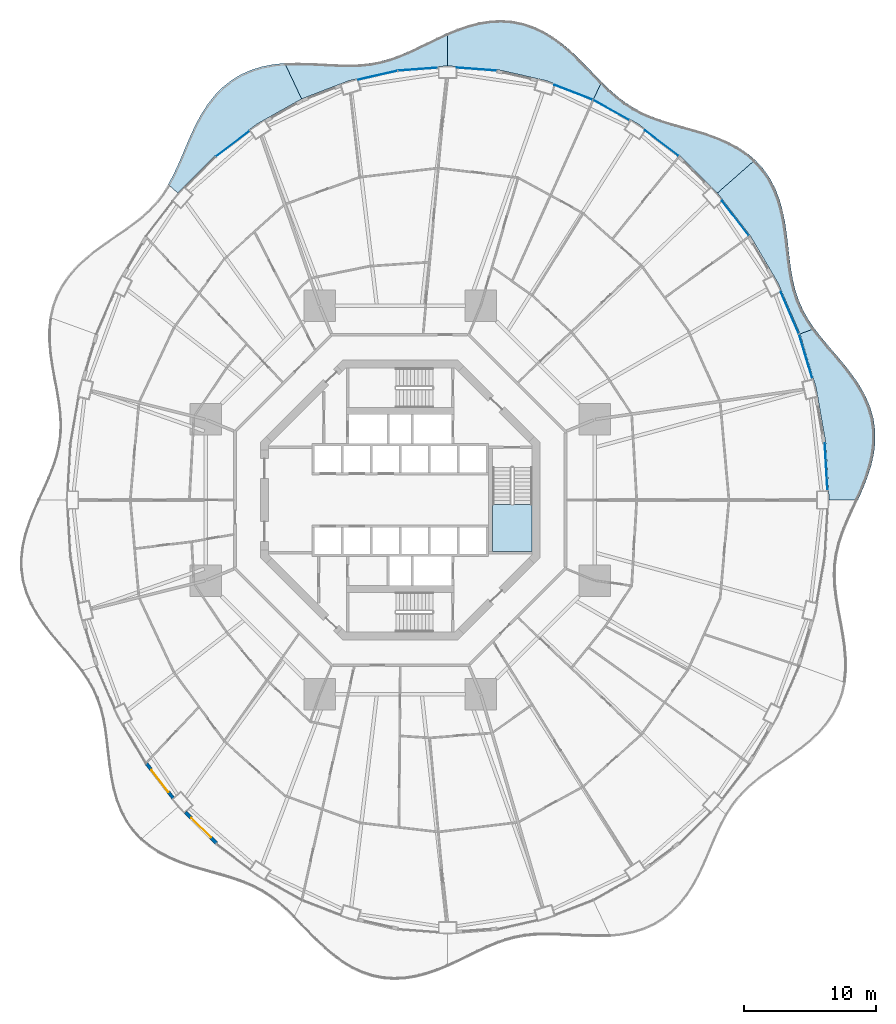
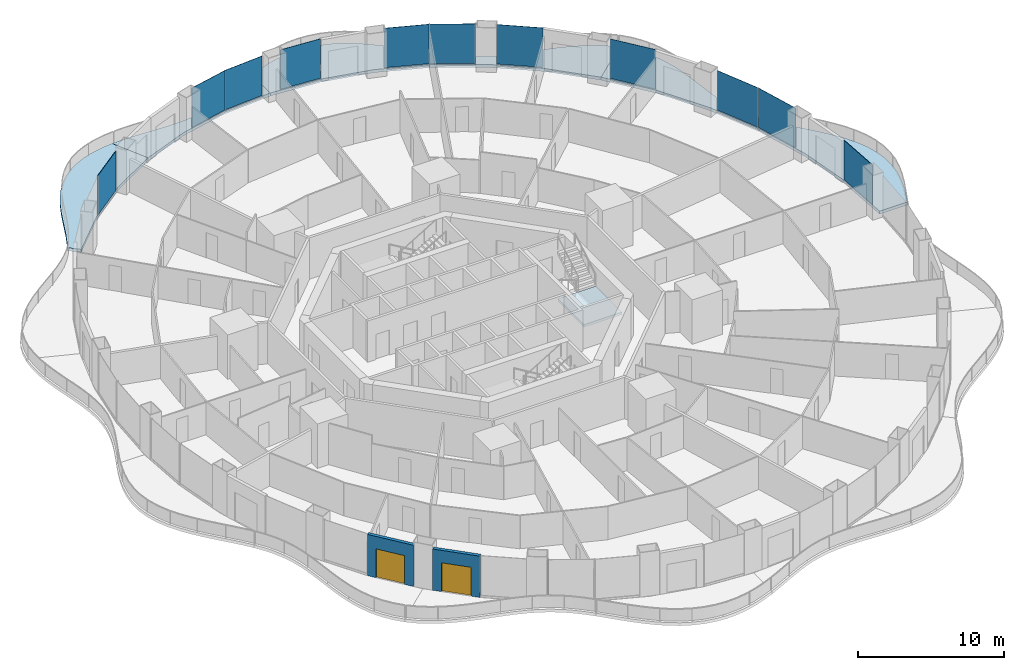
# One storey, part 13 of 22: 11 plates, 7 slabs, 2 doors, 2 walls, 2 openings, 12 elements without a shape of their own.
"""IFC4 building model written with IfcOpenShell, lengths in metres."""

from ifc_helpers import new_model, si_unit, direction, frame, frame_2d, origin, origin_2d, place, context, subcontext, project, spatial, polyline, rectangle, outline, extrude, material, layer, layer_set, type_object, element, fill, aggregate, save


model = new_model("IFC4")

# Units and contexts
model_context = context("Model", 3, precision=1e-05, world=origin(), true_north=direction((0.0, 1.0)))
body_context = subcontext(model_context, "Body", "Model", "MODEL_VIEW")
ifc_project = project(units=[si_unit("LENGTHUNIT", "METRE"), si_unit("AREAUNIT", "SQUARE_METRE"), si_unit("VOLUMEUNIT", "CUBIC_METRE"), si_unit("PLANEANGLEUNIT", "RADIAN"), si_unit("MASSUNIT", "GRAM", prefix="KILO")], contexts=[model_context])

# Site, building, storey
site_placement = place(None, origin())
site = spatial("IfcSite", under=ifc_project, at=site_placement, CompositionType="ELEMENT")
building_placement = place(site_placement, origin())
building = spatial("IfcBuilding", under=site, at=building_placement, Name="Nagisa Residences", CompositionType="ELEMENT")
storey_placement = place(building_placement, frame((0.0, 0.0, 49.199951171875)))
storey = spatial("IfcBuildingStorey", under=building, at=storey_placement, Name="L11", CompositionType="ELEMENT", Elevation=49.199951171875)

# Slabs
ifc_material_1 = material(Name="Concrete C40/50", Category="concrete")
ifc_layer_1 = layer(ifc_material_1, 0.25)
ifc_layer_set_1 = layer_set([ifc_layer_1], Name="BALCONY SLAB 250")
slab_type_1 = type_object("IfcSlabType", Name="BALCONY SLAB 250", PredefinedType="FLOOR", material=ifc_layer_set_1)
slab_1_placement = place(storey_placement, frame((0.0, 0.0, -0.25)))
element("IfcSlab", 1, at=slab_1_placement, inside=storey, type_object=slab_type_1, Name="slab:L11:bal00", PredefinedType="FLOOR", context=body_context, shape_type="SweptSolid", body=[
    extrude(outline(polyline([(34.793212890625, 0.0), (35.172119140625, 0.860595703125), (35.5166015625, 1.73681640625), (35.801513671875, 2.625732421875), (36.004150390625, 3.522216796875), (36.106689453125, 4.420166015625), (36.0966796875, 5.3125), (35.96875, 6.19140625), (35.723388671875, 7.050537109375), (35.369384765625, 7.884521484375), (34.92041015625, 8.689453125), (34.39599609375, 9.46435546875), (33.819580078125, 10.2109375), (33.216064453125, 10.93310546875), (32.611328125, 11.6376953125), (32.029541015625, 12.332763671875), (31.491455078125, 13.028564453125), (30.392578125, 12.628662109375), (31.61181640625, 8.541015625), (32.351806640625, 4.307373046875), (32.60009765625, 0.0), (34.793212890625, 0.0)])), origin(), (0.0, 0.0, 1.0), 0.25),
])
slab_2_placement = place(storey_placement, frame((0.0, 0.0, -0.25)))
element("IfcSlab", 2, at=slab_2_placement, inside=storey, type_object=slab_type_1, Name="slab:L11:bal01", PredefinedType="FLOOR", context=body_context, shape_type="SweptSolid", body=[
    extrude(outline(polyline([(31.491455078125, 13.028564453125), (31.027587890625, 13.712890625), (30.6298828125, 14.416259765625), (30.302978515625, 15.14599609375), (30.044921875, 15.907958984375), (29.8486328125, 16.705322265625), (29.7021484375, 17.537841796875), (29.588623046875, 18.40234375), (29.48876953125, 19.29248046875), (29.3818359375, 20.1982421875), (29.24658203125, 21.107666015625), (29.0634765625, 22.0068359375), (28.81494140625, 22.880615234375), (28.48779296875, 23.714599609375), (28.0732421875, 24.494873046875), (27.5673828125, 25.21044921875), (26.9716796875, 25.852783203125), (24.106201171875, 23.33447265625), (26.607177734375, 20.089111328125), (28.71484375, 16.5), (30.392578125, 12.628662109375), (31.491455078125, 13.028564453125)])), origin(), (0.0, 0.0, 1.0), 0.25),
])
slab_3_placement = place(storey_placement, frame((0.0, 0.0, -0.25)))
element("IfcSlab", 3, at=slab_3_placement, inside=storey, type_object=slab_type_1, Name="slab:L11:bal02", PredefinedType="FLOOR", context=body_context, shape_type="SweptSolid", body=[
    extrude(outline(polyline([(26.9716796875, 25.852783203125), (26.325927734375, 26.392822265625), (25.61328125, 26.8623046875), (24.846435546875, 27.2646484375), (24.0390625, 27.607177734375), (23.206787109375, 27.900390625), (22.364990234375, 28.157470703125), (21.528076171875, 28.3935546875), (20.708740234375, 28.624755859375), (19.9169921875, 28.867431640625), (19.15966796875, 29.136474609375), (18.4404296875, 29.445068359375), (17.75927734375, 29.802978515625), (17.11279296875, 30.216064453125), (16.49462890625, 30.6865234375), (15.896240234375, 31.2109375), (15.307861328125, 31.7822265625), (14.69775390625, 30.488037109375), (18.10009765625, 28.578857421875), (21.254150390625, 26.1806640625), (24.106201171875, 23.33447265625), (26.9716796875, 25.852783203125)])), origin(), (0.0, 0.0, 1.0), 0.25),
])
slab_4_placement = place(storey_placement, frame((0.0, 0.0, -0.25)))
element("IfcSlab", 4, at=slab_4_placement, inside=storey, type_object=slab_type_1, Name="slab:L11:bal03", PredefinedType="FLOOR", context=body_context, shape_type="SweptSolid", body=[
    extrude(outline(polyline([(15.307861328125, 31.7822265625), (14.73974609375, 32.36572265625), (14.161376953125, 32.968017578125), (13.564208984375, 33.572509765625), (12.94091796875, 34.161376953125), (12.286376953125, 34.71630859375), (11.59765625, 35.219482421875), (10.874267578125, 35.654541015625), (10.1181640625, 36.007568359375), (9.333251953125, 36.267822265625), (8.525390625, 36.42919921875), (7.70166015625, 36.489501953125), (6.869384765625, 36.451171875), (6.03662109375, 36.321044921875), (5.21044921875, 36.110107421875), (4.39697265625, 35.8330078125), (3.60009765625, 35.5068359375), (3.60009765625, 33.0), (7.38525390625, 32.7177734375), (11.105712890625, 31.87548828125), (14.69775390625, 30.488037109375), (15.307861328125, 31.7822265625)])), origin(), (0.0, 0.0, 1.0), 0.25),
])
slab_5_placement = place(storey_placement, frame((0.0, 0.0, -0.25)))
element("IfcSlab", 5, at=slab_5_placement, inside=storey, type_object=slab_type_1, Name="slab:L11:bal04", PredefinedType="FLOOR", context=body_context, shape_type="SweptSolid", body=[
    extrude(outline(polyline([(3.60009765625, 35.5068359375), (2.822265625, 35.150146484375), (2.064208984375, 34.781982421875), (1.32373046875, 34.42138671875), (0.59765625, 34.0849609375), (-0.11962890625, 33.786865234375), (-0.834228515625, 33.537841796875), (-1.552734375, 33.3447265625), (-2.28125, 33.209716796875), (-3.02587890625, 33.13037109375), (-3.790771484375, 33.1005859375), (-4.578369140625, 33.109619140625), (-5.388427734375, 33.14404296875), (-6.21923828125, 33.18798828125), (-7.06591796875, 33.224365234375), (-7.921875, 33.2353515625), (-8.778076171875, 33.204345703125), (-7.497802734375, 30.488037109375), (-3.90576171875, 31.87548828125), (-0.185302734375, 32.7177734375), (3.60009765625, 33.0), (3.60009765625, 35.5068359375)])), origin(), (0.0, 0.0, 1.0), 0.25),
])
slab_6_placement = place(storey_placement, frame((0.0, 0.0, -0.25)))
element("IfcSlab", 6, at=slab_6_placement, inside=storey, type_object=slab_type_1, Name="slab:L11:bal05", PredefinedType="FLOOR", context=body_context, shape_type="SweptSolid", body=[
    extrude(outline(polyline([(-8.778076171875, 33.204345703125), (-9.65625, 33.111572265625), (-10.512451171875, 32.943359375), (-11.334716796875, 32.68994140625), (-12.112060546875, 32.344970703125), (-12.83544921875, 31.90771484375), (-13.498291015625, 31.381103515625), (-14.09716796875, 30.77294921875), (-14.632080078125, 30.0947265625), (-15.10693359375, 29.3603515625), (-15.5283203125, 28.5859375), (-15.906982421875, 27.78857421875), (-16.255615234375, 26.98486328125), (-16.5888671875, 26.1904296875), (-16.921630859375, 25.4189453125), (-17.269287109375, 24.68115234375), (-17.645751953125, 23.984375), (-16.906005859375, 23.33447265625), (-14.05419921875, 26.1806640625), (-10.89990234375, 28.578857421875), (-7.497802734375, 30.488037109375), (-8.778076171875, 33.204345703125)])), origin(), (0.0, 0.0, 1.0), 0.25),
])

# Curtain wall, plate
ifc_material_2 = material(Name="Concrete-coloured aluminium curtain wall system", Category="concrete")
ifc_layer_2 = layer(ifc_material_2, 0.159912109375)
ifc_layer_set_2 = layer_set([ifc_layer_2], Name="CW1 CURTAIN WALL")
curtain_wall_type = type_object("IfcCurtainWallType", Name="CW1 CURTAIN WALL", PredefinedType="NOTDEFINED", material=ifc_layer_set_2)
curtain_wall_1_placement = place(storey_placement, origin())
curtain_wall_1 = element("IfcCurtainWall", 7, at=curtain_wall_1_placement, inside=storey, type_object=curtain_wall_type, Name="cw:CW1:L11:00", PredefinedType="NOTDEFINED")
ifc_material_3 = material(Name="Clear laminated glass", Category="glass")
ifc_layer_3 = layer(ifc_material_3, 0.028076171875)
ifc_layer_set_3 = layer_set([ifc_layer_3], Name="CW1 GLASS PANEL")
plate_type = type_object("IfcPlateType", Name="CW1 GLASS PANEL", PredefinedType="CURTAIN_PANEL", material=ifc_layer_set_3)
plate_1_placement = place(storey_placement, frame((32.374267578125, 2.528564453125, 0.150146484375), z_axis=(0.0, 0.0, 1.0), x_axis=(-0.057503492216, 0.998345305184, 0.0)))
plate_1 = element("IfcPlate", 8, at=plate_1_placement, type_object=plate_type, Name="CW1 panel", PredefinedType="CURTAIN_PANEL", context=body_context, shape_type="SweptSolid", body=[
    extrude(rectangle(XDim=3.554443359375, YDim=0.028076171875, at=origin_2d()), origin(), (0.0, 0.0, 1.0), 3.2900390625),
])
aggregate(curtain_wall_1, [plate_1])

curtain_wall_2_placement = place(storey_placement, origin())
curtain_wall_2 = element("IfcCurtainWall", 9, at=curtain_wall_2_placement, inside=storey, type_object=curtain_wall_type, Name="cw:CW1:L11:02", PredefinedType="NOTDEFINED")
plate_2_placement = place(storey_placement, frame((30.81689453125, 10.926025390625, 0.150146484375), z_axis=(0.0, 0.0, 1.0), x_axis=(-0.285860274038, 0.958271310082, 0.0)))
plate_2 = element("IfcPlate", 10, at=plate_2_placement, type_object=plate_type, Name="CW1 panel", PredefinedType="CURTAIN_PANEL", context=body_context, shape_type="SweptSolid", body=[
    extrude(rectangle(XDim=3.505615234375, YDim=0.028076171875, at=origin_2d()), origin(), (0.0, 0.0, 1.0), 3.2900390625),
])
aggregate(curtain_wall_2, [plate_2])

curtain_wall_3_placement = place(storey_placement, origin())
curtain_wall_3 = element("IfcCurtainWall", 11, at=curtain_wall_3_placement, inside=storey, type_object=curtain_wall_type, Name="cw:CW1:L11:03", PredefinedType="NOTDEFINED")
plate_3_placement = place(storey_placement, frame((29.607421875, 14.23876953125, 0.150146484375), z_axis=(0.0, 0.0, 1.0), x_axis=(-0.397635934147, 0.917543276295, 0.0)))
plate_3 = element("IfcPlate", 12, at=plate_3_placement, type_object=plate_type, Name="CW1 panel", PredefinedType="CURTAIN_PANEL", context=body_context, shape_type="SweptSolid", body=[
    extrude(rectangle(XDim=3.45947265625, YDim=0.028076171875, at=origin_2d()), origin(), (0.0, 0.0, 1.0), 3.2900390625),
])
aggregate(curtain_wall_3, [plate_3])

curtain_wall_4_placement = place(storey_placement, origin())
curtain_wall_4 = element("IfcCurtainWall", 13, at=curtain_wall_4_placement, inside=storey, type_object=curtain_wall_type, Name="cw:CW1:L11:05", PredefinedType="NOTDEFINED")
plate_4_placement = place(storey_placement, frame((25.488525390625, 21.409423828125, 0.150146484375), z_axis=(0.0, 0.0, 1.0), x_axis=(-0.610429828235, 0.792070340816, 0.0)))
plate_4 = element("IfcPlate", 14, at=plate_4_placement, type_object=plate_type, Name="CW1 panel", PredefinedType="CURTAIN_PANEL", context=body_context, shape_type="SweptSolid", body=[
    extrude(rectangle(XDim=3.33740234375, YDim=0.028076171875, at=origin_2d()), origin(), (0.0, 0.0, 1.0), 3.2900390625),
])
aggregate(curtain_wall_4, [plate_4])

curtain_wall_5_placement = place(storey_placement, origin())
curtain_wall_5 = element("IfcCurtainWall", 15, at=curtain_wall_5_placement, inside=storey, type_object=curtain_wall_type, Name="cw:CW1:L11:07", PredefinedType="NOTDEFINED")
plate_5_placement = place(storey_placement, frame((19.88330078125, 27.122314453125, 0.150146484375), z_axis=(0.0, 0.0, 1.0), x_axis=(-0.79603132756, 0.605255421737, 0.0)))
plate_5 = element("IfcPlate", 16, at=plate_5_placement, type_object=plate_type, Name="CW1 panel", PredefinedType="CURTAIN_PANEL", context=body_context, shape_type="SweptSolid", body=[
    extrude(rectangle(XDim=3.2021484375, YDim=0.028076171875, at=origin_2d()), origin(), (0.0, 0.0, 1.0), 3.2900390625),
])
aggregate(curtain_wall_5, [plate_5])

curtain_wall_6_placement = place(storey_placement, origin())
curtain_wall_6 = element("IfcCurtainWall", 17, at=curtain_wall_6_placement, inside=storey, type_object=curtain_wall_type, Name="cw:CW1:L11:08", PredefinedType="NOTDEFINED")
plate_6_placement = place(storey_placement, frame((16.0283203125, 29.649658203125, 0.150146484375), z_axis=(0.0, 0.0, 1.0), x_axis=(-0.872072377523, 0.489376918501, 0.0)))
plate_6 = element("IfcPlate", 18, at=plate_6_placement, type_object=plate_type, Name="CW1 panel", PredefinedType="CURTAIN_PANEL", context=body_context, shape_type="SweptSolid", body=[
    extrude(rectangle(XDim=3.141357421875, YDim=0.028076171875, at=origin_2d()), origin(), (0.0, 0.0, 1.0), 3.2900390625),
])
aggregate(curtain_wall_6, [plate_6])

curtain_wall_7_placement = place(storey_placement, origin())
curtain_wall_7 = element("IfcCurtainWall", 19, at=curtain_wall_7_placement, inside=storey, type_object=curtain_wall_type, Name="cw:CW1:L11:09", PredefinedType="NOTDEFINED")
plate_7_placement = place(storey_placement, frame((13.17138671875, 30.991943359375, 0.150146484375), z_axis=(0.0, 0.0, 1.0), x_axis=(-0.932825759707, 0.360327770268, 0.0)))
plate_7 = element("IfcPlate", 20, at=plate_7_placement, type_object=plate_type, Name="CW1 panel", PredefinedType="CURTAIN_PANEL", context=body_context, shape_type="SweptSolid", body=[
    extrude(rectangle(XDim=3.0908203125, YDim=0.028076171875, at=origin_2d()), origin(), (0.0, 0.0, 1.0), 3.2900390625),
])
aggregate(curtain_wall_7, [plate_7])

curtain_wall_8_placement = place(storey_placement, origin())
curtain_wall_8 = element("IfcCurtainWall", 21, at=curtain_wall_8_placement, inside=storey, type_object=curtain_wall_type, Name="cw:CW1:L11:11", PredefinedType="NOTDEFINED")
plate_8_placement = place(storey_placement, frame((5.805908203125, 32.75537109375, 0.150146484375), z_axis=(0.0, 0.0, 1.0), x_axis=(-0.997230168512, 0.074377355493, 0.0)))
plate_8 = element("IfcPlate", 22, at=plate_8_placement, type_object=plate_type, Name="CW1 panel", PredefinedType="CURTAIN_PANEL", context=body_context, shape_type="SweptSolid", body=[
    extrude(rectangle(XDim=3.035888671875, YDim=0.028076171875, at=origin_2d()), origin(), (0.0, 0.0, 1.0), 3.2900390625),
])
aggregate(curtain_wall_8, [plate_8])

curtain_wall_9_placement = place(storey_placement, origin())
curtain_wall_9 = element("IfcCurtainWall", 23, at=curtain_wall_9_placement, inside=storey, type_object=curtain_wall_type, Name="cw:CW1:L11:12", PredefinedType="NOTDEFINED")
plate_9_placement = place(storey_placement, frame((1.33447265625, 32.750732421875, 0.150146484375), z_axis=(0.0, 0.0, 1.0), x_axis=(-0.997230168512, -0.074377355493, 0.0)))
plate_9 = element("IfcPlate", 24, at=plate_9_placement, type_object=plate_type, Name="CW1 panel", PredefinedType="CURTAIN_PANEL", context=body_context, shape_type="SweptSolid", body=[
    extrude(rectangle(XDim=3.035888671875, YDim=0.028076171875, at=origin_2d()), origin(), (0.0, 0.0, 1.0), 3.2900390625),
])
aggregate(curtain_wall_9, [plate_9])

curtain_wall_10_placement = place(storey_placement, origin())
curtain_wall_10 = element("IfcCurtainWall", 25, at=curtain_wall_10_placement, inside=storey, type_object=curtain_wall_type, Name="cw:CW1:L11:13", PredefinedType="NOTDEFINED")
plate_10_placement = place(storey_placement, frame((-1.7158203125, 32.289306640625, 0.150146484375), z_axis=(0.0, 0.0, 1.0), x_axis=(-0.975327274089, -0.2207639201, 0.0)))
plate_10 = element("IfcPlate", 26, at=plate_10_placement, type_object=plate_type, Name="CW1 panel", PredefinedType="CURTAIN_PANEL", context=body_context, shape_type="SweptSolid", body=[
    extrude(rectangle(XDim=3.0546875, YDim=0.028076171875, at=origin_2d()), origin(), (0.0, 0.0, 1.0), 3.2900390625),
])
aggregate(curtain_wall_10, [plate_10])

curtain_wall_11_placement = place(storey_placement, origin())
curtain_wall_11 = element("IfcCurtainWall", 27, at=curtain_wall_11_placement, inside=storey, type_object=curtain_wall_type, Name="cw:CW1:L11:16", PredefinedType="NOTDEFINED")
plate_11_placement = place(storey_placement, frame((-12.731201171875, 27.086181640625, 0.150146484375), z_axis=(0.0, 0.0, 1.0), x_axis=(-0.79603132756, -0.605255421737, 0.0)))
plate_11 = element("IfcPlate", 28, at=plate_11_placement, type_object=plate_type, Name="CW1 panel", PredefinedType="CURTAIN_PANEL", context=body_context, shape_type="SweptSolid", body=[
    extrude(rectangle(XDim=3.2021484375, YDim=0.028076171875, at=origin_2d()), origin(), (0.0, 0.0, 1.0), 3.2900390625),
])
aggregate(curtain_wall_11, [plate_11])

# Stair, slab
ifc_material_4 = material(Name="Concrete C60", Category="concrete")
stair_type = type_object("IfcStairType", Name="Exit stair", PredefinedType="HALF_TURN_STAIR", material=ifc_material_4)
stair_placement = place(storey_placement, origin())
stair = element("IfcStair", 29, at=stair_placement, inside=storey, type_object=stair_type, Name="L11 Exit stair E", PredefinedType="HALF_TURN_STAIR")
ifc_material_5 = material(Name="Concrete C60", Category="concrete")
ifc_layer_4 = layer(ifc_material_5, 0.199951171875)
ifc_layer_set_4 = layer_set([ifc_layer_4], Name="Stair landing")
slab_type_2 = type_object("IfcSlabType", Name="Stair landing", PredefinedType="LANDING", material=ifc_layer_set_4)
slab_7_placement = place(storey_placement, frame((0.0, 0.0, 1.650146484375)))
slab_7 = element("IfcSlab", 30, at=slab_7_placement, type_object=slab_type_2, Name="ST-E landing 1", PredefinedType="LANDING", context=body_context, shape_type="SweptSolid", body=[
    extrude(outline(polyline([(7.024658203125, -0.324951171875), (7.024658203125, -3.89990234375), (10.024658203125, -3.89990234375), (10.024658203125, -0.324951171875), (7.024658203125, -0.324951171875)])), origin(), (0.0, 0.0, 1.0), 0.199951171875),
])
aggregate(stair, [slab_7])

# Wall, opening, door
ifc_material_6 = material(Name="Precast concrete C40/50", Category="concrete")
ifc_layer_5 = layer(ifc_material_6, 0.25)
ifc_layer_set_5 = layer_set([ifc_layer_5], Name="BALCONY DOOR WALL 250")
wall_type = type_object("IfcWallType", Name="BALCONY DOOR WALL 250", PredefinedType="SOLIDWALL", material=ifc_layer_set_5)
wall_1_placement = place(storey_placement, frame((-17.234375, -22.703857421875, 0.0), z_axis=(0.0, 0.0, 1.0), x_axis=(-0.610457147657, 0.792049285635, 0.0)))
wall_1 = element("IfcWall", 31, at=wall_1_placement, inside=storey, type_object=wall_type, Name="wall:L11:bay29", PredefinedType="SOLIDWALL", context=body_context, shape_type="SweptSolid", body=[
    extrude(rectangle(XDim=3.3974609375, YDim=0.25, at=frame_2d((1.69873046875, 0.0))), origin(), (0.0, 0.0, 1.0), 3.43994140625),
])
opening_1_placement = place(wall_1_placement, frame((0.648681640625, 0.0, 0.0)))
opening_1 = element("IfcOpeningElement", 32, at=opening_1_placement, cuts=wall_1, Name="Opening BD-L11-10", PredefinedType="OPENING", context=body_context, shape_type="SweptSolid", body=[
    extrude(rectangle(XDim=2.10009765625, YDim=2.39990234375, at=frame_2d((1.050048828125, 1.199951171875))), frame((0.0, 0.135009765625, 0.0), z_axis=(0.0, -1.0, 0.0), x_axis=(1.0, 0.0, 0.0)), (0.0, 0.0, 1.0), 0.27001953125),
])
ifc_material_7 = material(Name="Aluminium and clear glass", Category="aluminium")
door_type = type_object("IfcDoorType", Name="BALCONY SLIDING DOOR 2100x2400", OperationType="SLIDING_TO_LEFT", PredefinedType="DOOR", material=ifc_material_7)
door_1_placement = place(opening_1_placement, origin())
door_1 = element("IfcDoor", 33, at=door_1_placement, inside=storey, type_object=door_type, Name="door:L11:bay29", OperationType="SLIDING_TO_LEFT", OverallHeight=2.39990234375, OverallWidth=2.10009765625, PredefinedType="DOOR", context=body_context, shape_type="SweptSolid", body=[
    extrude(rectangle(XDim=2.10009765625, YDim=2.39990234375, at=frame_2d((1.050048828125, 1.199951171875))), frame((0.0, 0.02490234375, 0.0), z_axis=(0.0, -1.0, 0.0), x_axis=(1.0, 0.0, 0.0)), (0.0, 0.0, 1.0), 0.050048828125),
])
fill(opening_1, door_1)

wall_2_placement = place(storey_placement, frame((-13.9658203125, -26.09228515625, 0.0), z_axis=(0.0, 0.0, 1.0), x_axis=(-0.707803094595, 0.706409781417, 0.0)))
wall_2 = element("IfcWall", 34, at=wall_2_placement, inside=storey, type_object=wall_type, Name="wall:L11:bay30", PredefinedType="SOLIDWALL", context=body_context, shape_type="SweptSolid", body=[
    extrude(rectangle(XDim=3.329345703125, YDim=0.25, at=frame_2d((1.66455078125, 0.0))), origin(), (0.0, 0.0, 1.0), 3.43994140625),
])
opening_2_placement = place(wall_2_placement, frame((0.614501953125, 0.0, 0.0)))
opening_2 = element("IfcOpeningElement", 35, at=opening_2_placement, cuts=wall_2, Name="Opening BD-L11-11", PredefinedType="OPENING", context=body_context, shape_type="SweptSolid", body=[
    extrude(rectangle(XDim=2.10009765625, YDim=2.39990234375, at=frame_2d((1.050048828125, 1.199951171875))), frame((0.0, 0.135009765625, 0.0), z_axis=(0.0, -1.0, 0.0), x_axis=(1.0, 0.0, 0.0)), (0.0, 0.0, 1.0), 0.27001953125),
])
door_2_placement = place(opening_2_placement, origin())
door_2 = element("IfcDoor", 36, at=door_2_placement, inside=storey, type_object=door_type, Name="door:L11:bay30", OperationType="SLIDING_TO_LEFT", OverallHeight=2.39990234375, OverallWidth=2.10009765625, PredefinedType="DOOR", context=body_context, shape_type="SweptSolid", body=[
    extrude(rectangle(XDim=2.10009765625, YDim=2.39990234375, at=frame_2d((1.050048828125, 1.199951171875))), frame((0.0, 0.02490234375, 0.0), z_axis=(0.0, -1.0, 0.0), x_axis=(1.0, 0.0, 0.0)), (0.0, 0.0, 1.0), 0.050048828125),
])
fill(opening_2, door_2)

save(model, "model.ifc")
